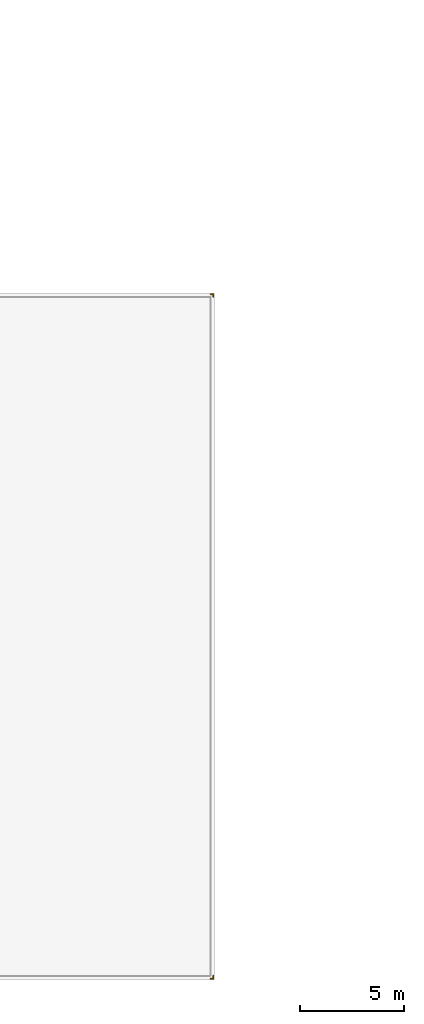
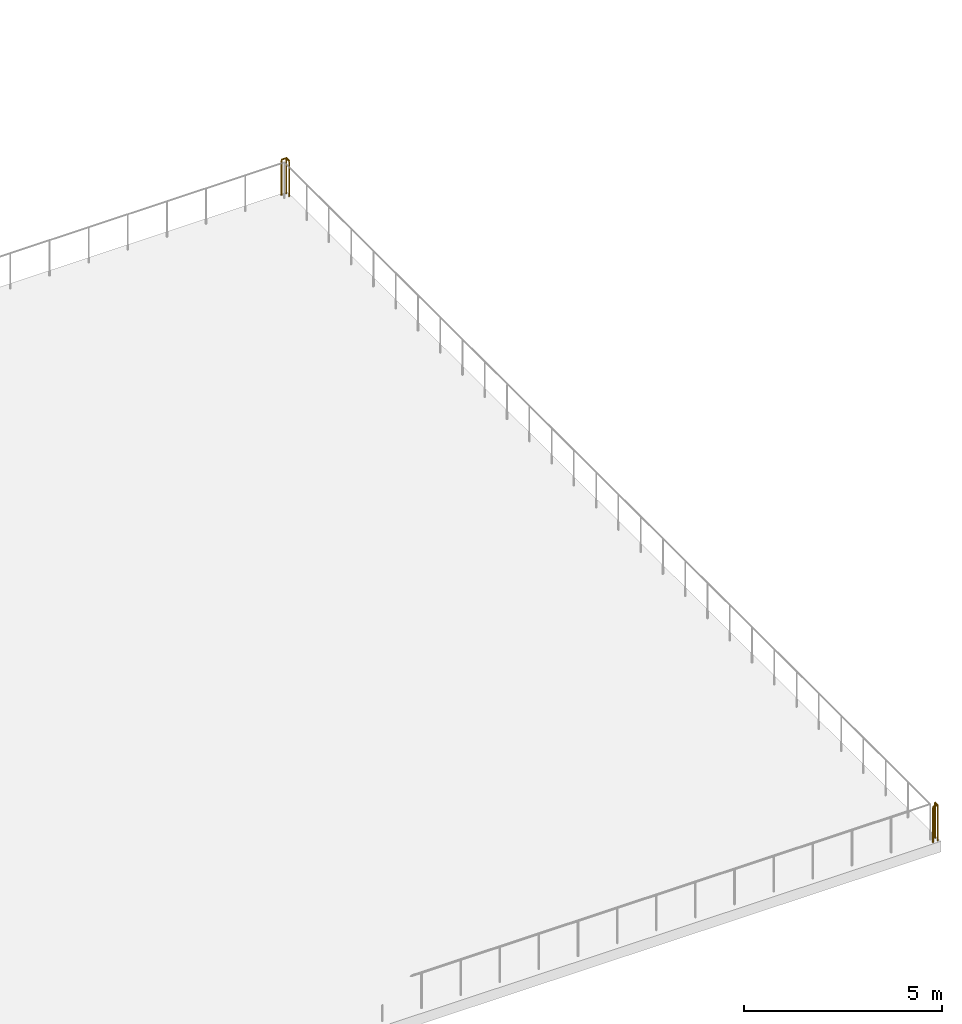
# One storey, part 101 of 105: 2 railings.
"""IFC4 building model written with IfcOpenShell, lengths in metres."""

from ifc_helpers import new_model, si_unit, direction, frame, origin, origin_2d, place, context, subcontext, project, spatial, circle, extrude, material, type_object, element, save


model = new_model("IFC4")

# Units and contexts
model_context = context("Model", 3, precision=1e-05, world=origin(), true_north=direction((0.0, 1.0)))
body_context = subcontext(model_context, "Body", "Model", "MODEL_VIEW")
ifc_project = project(units=[si_unit("LENGTHUNIT", "METRE"), si_unit("AREAUNIT", "SQUARE_METRE"), si_unit("VOLUMEUNIT", "CUBIC_METRE"), si_unit("PLANEANGLEUNIT", "RADIAN"), si_unit("MASSUNIT", "GRAM", prefix="KILO")], contexts=[model_context])

# Site, building, storey
site_placement = place(None, origin())
site = spatial("IfcSite", under=ifc_project, at=site_placement, CompositionType="ELEMENT")
building_placement = place(site_placement, origin())
building = spatial("IfcBuilding", under=site, at=building_placement, Name="Marlcrest Central Station", CompositionType="ELEMENT")
storey_placement = place(building_placement, frame((0.0, 0.0, 15.0)))
storey = spatial("IfcBuildingStorey", under=building, at=storey_placement, Name="L03", CompositionType="ELEMENT", Elevation=15.0)

# Railings
ifc_material = material(Name="Galvanized painted steel balustrade", Category="steel")
railing_type = type_object("IfcRailingType", Name="GR-01", PredefinedType="GUARDRAIL", material=ifc_material)
railing_1_placement = place(storey_placement, frame((206.800048828125, 32.93994140625, 0.0)))
element("IfcRailing", 1, at=railing_1_placement, inside=storey, type_object=railing_type, Name="hr-L03-00359", PredefinedType="GUARDRAIL", context=body_context, shape_type="SweptSolid", body=[
    extrude(circle(Radius=0.02392578125, at=origin_2d()), frame((0.0, 0.0, 1.09619140625), z_axis=(1.0, 0.0, 0.0), x_axis=(0.0, 1.0, 0.0)), (0.0, 0.0, 1.0), 0.139892578125),
    extrude(circle(Radius=0.02392578125, at=origin_2d()), frame((0.139892578125, 0.0, 1.09619140625), z_axis=(0.0, -1.0, 0.0), x_axis=(1.0, 0.0, 0.0)), (0.0, 0.0, 1.0), 0.139892578125),
    extrude(circle(Radius=0.02099609375, at=origin_2d()), origin(), (0.0, 0.0, 1.0), 1.072021484375),
    extrude(circle(Radius=0.02099609375, at=origin_2d()), frame((0.139892578125, 0.0, 0.0)), (0.0, 0.0, 1.0), 1.072021484375),
    extrude(circle(Radius=0.02099609375, at=origin_2d()), frame((0.139892578125, -0.139892578125, 0.0)), (0.0, 0.0, 1.0), 1.072021484375),
])
railing_2_placement = place(storey_placement, frame((206.93994140625, 0.199951171875, 0.0)))
element("IfcRailing", 2, at=railing_2_placement, inside=storey, type_object=railing_type, Name="hr-L03-00360", PredefinedType="GUARDRAIL", context=body_context, shape_type="SweptSolid", body=[
    extrude(circle(Radius=0.02392578125, at=origin_2d()), frame((0.0, 0.0, 1.09619140625), z_axis=(0.0, -1.0, 0.0), x_axis=(1.0, 0.0, 0.0)), (0.0, 0.0, 1.0), 0.139892578125),
    extrude(circle(Radius=0.02392578125, at=origin_2d()), frame((0.0, -0.139892578125, 1.09619140625), z_axis=(-1.0, 0.0, 0.0), x_axis=(0.0, -1.0, 0.0)), (0.0, 0.0, 1.0), 0.139892578125),
    extrude(circle(Radius=0.02099609375, at=origin_2d()), origin(), (0.0, 0.0, 1.0), 1.072021484375),
    extrude(circle(Radius=0.02099609375, at=origin_2d()), frame((0.0, -0.139892578125, 0.0)), (0.0, 0.0, 1.0), 1.072021484375),
    extrude(circle(Radius=0.02099609375, at=origin_2d()), frame((-0.139892578125, -0.139892578125, 0.0)), (0.0, 0.0, 1.0), 1.072021484375),
])

save(model, "model.ifc")
